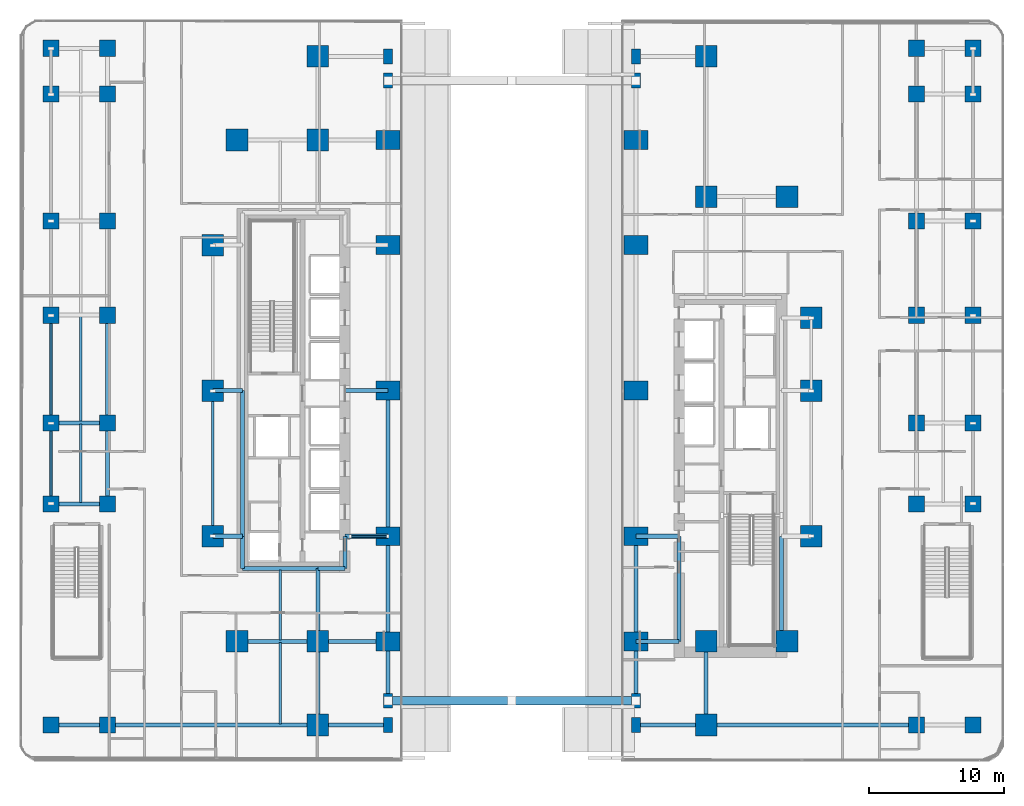
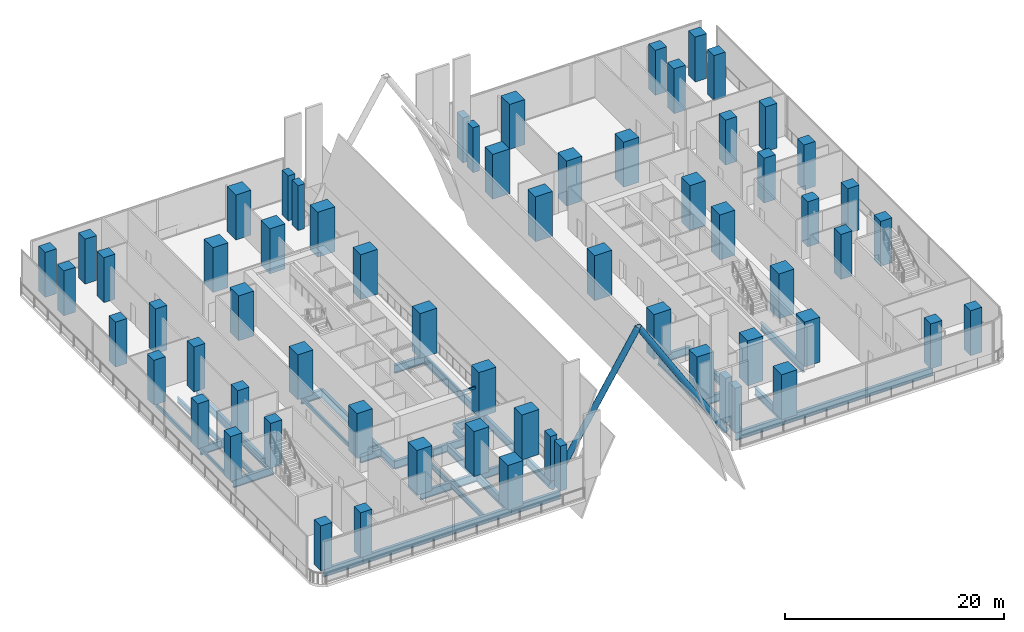
# One storey, part 1 of 31: 64 columns, 40 beams, 2 members.
"""IFC4 building model written with IfcOpenShell, lengths in metres."""

import ifcopenshell
import ifcopenshell.guid

model = None  # the IFC model being written
_history = None  # IfcOwnerHistory: only IFC2X3 demands one
_inside = {}  # id of a spatial element -> (the spatial element, [elements in it])
_under = {}  # id of a project, library or spatial element -> (it, [spatial elements below it])
_declared = {}  # id of a project -> (the project, [libraries it declares])
_typed = {}  # id of a type object -> (the type object, [elements of that type])
_made_of = {}  # id of a material, layer set ... -> (it, [elements and type objects made of it])


def new_model(schema):
    """Start an empty IFC model of exactly this schema.

    Asked for "IFC4X3", IfcOpenShell would pick the latest addendum, in which some entities
    have other attributes; the version numbers below select the first issue.
    IFC2X3 requires an IfcOwnerHistory on every rooted entity: one is made here for all.
    """
    global model, _history
    if schema == "IFC4X3":
        model = ifcopenshell.file(schema_version=(4, 3, 0, 0))
    else:
        model = ifcopenshell.file(schema=schema)
    _inside.clear()
    _under.clear()
    _declared.clear()
    _typed.clear()
    _made_of.clear()
    _history = None
    if model.schema == "IFC2X3":
        org = make("IfcOrganization", Name="unknown")
        user = make(
            "IfcPersonAndOrganization",
            ThePerson=make("IfcPerson", FamilyName="unknown"),
            TheOrganization=org,
        )
        app = make(
            "IfcApplication",
            ApplicationDeveloper=org,
            Version="unknown",
            ApplicationFullName="unknown",
            ApplicationIdentifier="unknown",
        )
        _history = make(
            "IfcOwnerHistory",
            OwningUser=user,
            OwningApplication=app,
            ChangeAction="ADDED",
            CreationDate=0,
        )
    return model


def make(cls, **values):
    """One entity of the class cls with the attributes given. An attribute that is None is left unset."""
    return model.create_entity(
        cls, **{name: value for name, value in values.items() if value is not None}
    )


def rooted(cls, **values):
    """An entity with a GlobalId (a new one), such as an element, a storey or a relation."""
    return make(cls, GlobalId=ifcopenshell.guid.new(), OwnerHistory=_history, **values)


def si_unit(unit_type, name, prefix=None):
    """IfcSIUnit, for example si_unit("LENGTHUNIT", "METRE", prefix="MILLI")."""
    return make("IfcSIUnit", UnitType=unit_type, Prefix=prefix, Name=name)


def assignment(units):
    """IfcUnitAssignment: the units of a project."""
    return None if units is None else make("IfcUnitAssignment", Units=units)


def point(xyz):
    """IfcCartesianPoint."""
    return None if xyz is None else make("IfcCartesianPoint", Coordinates=xyz)


def direction(xyz):
    """IfcDirection."""
    return None if xyz is None else make("IfcDirection", DirectionRatios=xyz)


def frame(location, z_axis=None, x_axis=None):
    """IfcAxis2Placement3D, a coordinate frame: its origin and axes. An axis left out is left unset."""
    return make(
        "IfcAxis2Placement3D",
        Location=point(location),
        Axis=direction(z_axis),
        RefDirection=direction(x_axis),
    )


def frame_2d(location, x_axis=None):
    """IfcAxis2Placement2D, a coordinate frame in the plane: its origin and x axis."""
    return make(
        "IfcAxis2Placement2D", Location=point(location), RefDirection=direction(x_axis)
    )


def origin():
    """The frame at (0, 0, 0) with its axes left unset."""
    return frame((0.0, 0.0, 0.0))


def origin_2d():
    """The frame at (0, 0) in the plane with its x axis left unset."""
    return frame_2d((0.0, 0.0))


def place(relative_to, where):
    """IfcLocalPlacement: puts the frame where relative to a parent placement (None: the world)."""
    return make(
        "IfcLocalPlacement", PlacementRelTo=relative_to, RelativePlacement=where
    )


def context(
    kind, dimensions, precision=None, world=None, true_north=None, identifier=None
):
    """IfcGeometricRepresentationContext, for example the 3D "Model" context."""
    return make(
        "IfcGeometricRepresentationContext",
        ContextIdentifier=identifier,
        ContextType=kind,
        CoordinateSpaceDimension=dimensions,
        Precision=precision,
        WorldCoordinateSystem=world,
        TrueNorth=true_north,
    )


def subcontext(parent, identifier, kind, view, scale=None):
    """IfcGeometricRepresentationSubContext, for example "Body" below "Model"."""
    return make(
        "IfcGeometricRepresentationSubContext",
        ContextIdentifier=identifier,
        ContextType=kind,
        ParentContext=parent,
        TargetScale=scale,
        TargetView=view,
    )


def project(units=None, contexts=None):
    """IfcProject with its units and contexts."""
    return rooted(
        "IfcProject",
        Name="project",
        RepresentationContexts=contexts,
        UnitsInContext=assignment(units),
    )


def spatial(cls, under=None, at=None, **own):
    """A site, building, storey or space (cls), placed at a placement, below another one or the project."""
    s = rooted(cls, ObjectPlacement=at, **own)
    if under is not None:
        _under.setdefault(under.id(), (under, []))[1].append(s)
    return s


def profile(cls, at=None, kind="AREA", **sizes):
    """A parametric profile (cls). Its sizes go by their IFC names, for example OverallWidth=200.0."""
    return make(cls, ProfileType=kind, Position=at, **sizes)


def rectangle(**sizes):
    """IfcRectangleProfileDef."""
    return profile("IfcRectangleProfileDef", **sizes)


def hollow_rectangle(**sizes):
    """IfcRectangleHollowProfileDef."""
    return profile("IfcRectangleHollowProfileDef", **sizes)


def hollow_circle(**sizes):
    """IfcCircleHollowProfileDef."""
    return profile("IfcCircleHollowProfileDef", **sizes)


def i_section(**sizes):
    """IfcIShapeProfileDef."""
    return profile("IfcIShapeProfileDef", **sizes)


def extrude(swept, where, along, depth):
    """IfcExtrudedAreaSolid: the profile swept, set in the frame where, extruded along a direction by depth."""
    return make(
        "IfcExtrudedAreaSolid",
        SweptArea=swept,
        Position=where,
        ExtrudedDirection=direction(along),
        Depth=depth,
    )


def shape(context_of_items, identifier, shape_type, items):
    """IfcShapeRepresentation: the items that make up one representation, for example the "Body"."""
    return make(
        "IfcShapeRepresentation",
        ContextOfItems=context_of_items,
        RepresentationIdentifier=identifier,
        RepresentationType=shape_type,
        Items=items,
    )


def material(Name=None, Category=None):
    """IfcMaterial."""
    return make("IfcMaterial", Name=Name, Category=Category)


def material_profile(
    of_material, cross_section, Name=None, Category=None, Priority=None
):
    """IfcMaterialProfile: a cross section and its material."""
    return make(
        "IfcMaterialProfile",
        Name=Name,
        Material=of_material,
        Profile=cross_section,
        Priority=Priority,
        Category=Category,
    )


def profile_set(profiles, Name=None, composite=None):
    """IfcMaterialProfileSet."""
    return make(
        "IfcMaterialProfileSet",
        Name=Name,
        MaterialProfiles=profiles,
        CompositeProfile=composite,
    )


def made_of(thing, what):
    """Note that an element or type object is made of a material, layer set ...; save() writes the relation."""
    if what is not None:
        _made_of.setdefault(what.id(), (what, []))[1].append(thing)
    return thing


def type_object(cls, material=None, **own):
    """A type object (cls), such as IfcWallType, which elements share."""
    return made_of(rooted(cls, **own), material)


def element(
    cls,
    number,
    at=None,
    inside=None,
    cuts=None,
    type_object=None,
    material=None,
    context=None,
    identifier="Body",
    shape_type=None,
    held_by="IfcProductDefinitionShape",
    body=None,
    shapes=None,
    **own,
):
    """One element of the class cls, such as IfcWall. Its Tag is "e" and its number.

    at: its placement. inside: the storey or other place that contains it. cuts: it is an
    opening in that element (IfcRelVoidsElement). A single representation is given by context,
    identifier, shape_type and body (its items); several are given by shapes. held_by: the class
    of the entity that holds the representations. save() writes the other relations.
    """
    e = rooted(cls, Tag="e%d" % number, ObjectPlacement=at, **own)
    if body is not None:
        shapes = [shape(context, identifier, shape_type, body)]
    if shapes is not None:
        e.Representation = make(held_by, Representations=shapes)
    if inside is not None:
        _inside.setdefault(inside.id(), (inside, []))[1].append(e)
    if cuts is not None:
        rooted(
            "IfcRelVoidsElement", RelatingBuildingElement=cuts, RelatedOpeningElement=e
        )
    if type_object is not None:
        _typed.setdefault(type_object.id(), (type_object, []))[1].append(e)
    return made_of(e, material)


def aggregate(whole, parts):
    """IfcRelAggregates: a whole, such as a stair, and the parts it consists of."""
    return rooted("IfcRelAggregates", RelatingObject=whole, RelatedObjects=parts)


def save(model, path):
    """Write the relations noted so far, then the file.

    IfcRelAggregates (storeys below a building ...), IfcRelContainedInSpatialStructure (elements
    in a storey), IfcRelDefinesByType, IfcRelAssociatesMaterial and IfcRelDeclares: one each for
    every whole, place, type object, material and project.
    """
    for whole, parts in _under.values():
        aggregate(whole, parts)
    for where, things in _inside.values():
        rooted(
            "IfcRelContainedInSpatialStructure",
            RelatedElements=things,
            RelatingStructure=where,
        )
    for kind, things in _typed.values():
        rooted("IfcRelDefinesByType", RelatedObjects=things, RelatingType=kind)
    for what, things in _made_of.values():
        rooted("IfcRelAssociatesMaterial", RelatedObjects=things, RelatingMaterial=what)
    for by, libraries in _declared.values():
        rooted("IfcRelDeclares", RelatingContext=by, RelatedDefinitions=libraries)
    model.write(path)


model = new_model("IFC4")

# Units and contexts
model_context = context("Model", 3, precision=1e-05, world=origin(), true_north=direction((0.0, 1.0)))
body_context = subcontext(model_context, "Body", "Model", "MODEL_VIEW")
ifc_project = project(units=[si_unit("LENGTHUNIT", "METRE"), si_unit("AREAUNIT", "SQUARE_METRE"), si_unit("VOLUMEUNIT", "CUBIC_METRE"), si_unit("PLANEANGLEUNIT", "RADIAN"), si_unit("MASSUNIT", "GRAM", prefix="KILO")], contexts=[model_context])

# Site, building, storey
site_placement = place(None, origin())
site = spatial("IfcSite", under=ifc_project, at=site_placement, CompositionType="ELEMENT")
building_placement = place(site_placement, origin())
building = spatial("IfcBuilding", under=site, at=building_placement, Name="Khairoan Windgate Tower", CompositionType="ELEMENT")
storey_placement = place(building_placement, frame((0.0, 0.0, 6.0)))
storey = spatial("IfcBuildingStorey", under=building, at=storey_placement, Name="L02", CompositionType="ELEMENT", Elevation=6.0)

# Columns
ifc_material_1 = material(Name="Concrete C60/75", Category="concrete")
ifc_material_profile_1 = material_profile(ifc_material_1, rectangle(XDim=0.699951171875, YDim=1.10009765625, at=origin_2d()))
ifc_profile_set_1 = profile_set([ifc_material_profile_1], Name="Concrete C60/75")
column_type_1 = type_object("IfcColumnType", Name="Arch Pilaster CP1 RC700x1100", PredefinedType="PILASTER", material=ifc_profile_set_1)
for number, where, z_axis, x_axis, name in (
    (1, (-9.199951171875, -24.800048828125, 0.0), (0.0, 0.0, 1.0), (1.0, 0.0, 0.0), "Column L02-51"),
    (2, (-9.199951171875, 24.800048828125, 0.0), (0.0, 0.0, 1.0), (1.0, 0.0, 0.0), "Column L02-52"),
    (3, (9.199951171875, -24.800048828125, 0.0), (0.0, 0.0, 1.0), (1.0, 0.0, 0.0), "Column L02-53"),
    (4, (9.199951171875, 24.800048828125, 0.0), (0.0, 0.0, 1.0), (1.0, 0.0, 0.0), "Column L02-54"),
    (5, (-9.199951171875, -23.0, 0.0), (0.0, 0.0, 1.0), (1.0, 0.0, 0.0), "Inner Arch Pier Pilaster L02-01"),
    (6, (-9.199951171875, 23.0, 0.0), (0.0, 0.0, 1.0), (1.0, 0.0, 0.0), "Inner Arch Pier Pilaster L02-02"),
    (7, (9.199951171875, -23.0, 0.0), (0.0, 0.0, 1.0), (1.0, 0.0, 0.0), "Inner Arch Pier Pilaster L02-03"),
    (8, (9.199951171875, 23.0, 0.0), (0.0, 0.0, 1.0), (1.0, 0.0, 0.0), "Inner Arch Pier Pilaster L02-04"),
):
    element("IfcColumn", number, at=place(storey_placement, frame(where, z_axis=z_axis, x_axis=x_axis)), inside=storey, type_object=column_type_1, Name=name, PredefinedType="PILASTER", context=body_context, shape_type="SweptSolid", body=[
        extrude(rectangle(XDim=0.699951171875, YDim=1.10009765625, at=origin_2d()), origin(), (0.0, 0.0, 1.0), 5.0),
    ])
ifc_material_2 = material(Name="Concrete C70/85", Category="concrete")
ifc_material_profile_2 = material_profile(ifc_material_2, rectangle(XDim=1.800048828125, YDim=1.39990234375, at=origin_2d()))
ifc_profile_set_2 = profile_set([ifc_material_profile_2], Name="Concrete C70/85")
column_type_2 = type_object("IfcColumnType", Name="Column C-AP1 RC1800x1400", PredefinedType="COLUMN", material=ifc_profile_set_2)
for number, where, z_axis, x_axis, name in (
    (9, (-9.199951171875, -18.60009765625, 0.0), (0.0, 0.0, 1.0), (1.0, 0.0, 0.0), "Column L02-01"),
    (10, (-9.199951171875, -10.800048828125, 0.0), (0.0, 0.0, 1.0), (1.0, 0.0, 0.0), "Column L02-02"),
    (11, (-9.199951171875, 0.0, 0.0), (0.0, 0.0, 1.0), (1.0, 0.0, 0.0), "Column L02-03"),
    (12, (-9.199951171875, 10.800048828125, 0.0), (0.0, 0.0, 1.0), (1.0, 0.0, 0.0), "Column L02-04"),
    (13, (-9.199951171875, 18.60009765625, 0.0), (0.0, 0.0, 1.0), (1.0, 0.0, 0.0), "Column L02-05"),
    (14, (9.199951171875, -18.60009765625, 0.0), (0.0, 0.0, 1.0), (1.0, 0.0, 0.0), "Column L02-06"),
    (15, (9.199951171875, -10.800048828125, 0.0), (0.0, 0.0, 1.0), (1.0, 0.0, 0.0), "Column L02-07"),
    (16, (9.199951171875, 0.0, 0.0), (0.0, 0.0, 1.0), (1.0, 0.0, 0.0), "Column L02-08"),
    (17, (9.199951171875, 10.800048828125, 0.0), (0.0, 0.0, 1.0), (1.0, 0.0, 0.0), "Column L02-09"),
    (18, (9.199951171875, 18.60009765625, 0.0), (0.0, 0.0, 1.0), (1.0, 0.0, 0.0), "Column L02-10"),
):
    element("IfcColumn", number, at=place(storey_placement, frame(where, z_axis=z_axis, x_axis=x_axis)), inside=storey, type_object=column_type_2, Name=name, PredefinedType="COLUMN", context=body_context, shape_type="SweptSolid", body=[
        extrude(rectangle(XDim=1.800048828125, YDim=1.39990234375, at=origin_2d()), origin(), (0.0, 0.0, 1.0), 5.0),
    ])
ifc_material_3 = material(Name="Concrete C70/85", Category="concrete")
ifc_material_profile_3 = material_profile(ifc_material_3, rectangle(XDim=1.60009765625, YDim=1.60009765625, at=origin_2d()))
ifc_profile_set_3 = profile_set([ifc_material_profile_3], Name="Concrete C70/85")
column_type_3 = type_object("IfcColumnType", Name="Column C-T1 RC1600x1600", PredefinedType="COLUMN", material=ifc_profile_set_3)
for number, where, z_axis, x_axis, name in (
    (19, (-20.39990234375, -18.60009765625, 0.0), (0.0, 0.0, 1.0), (1.0, 0.0, 0.0), "Column L02-11"),
    (20, (-20.39990234375, 18.60009765625, 0.0), (0.0, 0.0, 1.0), (1.0, 0.0, 0.0), "Column L02-12"),
    (21, (20.39990234375, -18.60009765625, 0.0), (0.0, 0.0, 1.0), (1.0, 0.0, 0.0), "Column L02-13"),
    (22, (20.39990234375, 14.39990234375, 0.0), (0.0, 0.0, 1.0), (1.0, 0.0, 0.0), "Column L02-14"),
    (23, (-14.39990234375, -18.60009765625, 0.0), (0.0, 0.0, 1.0), (1.0, 0.0, 0.0), "Column L02-15"),
    (24, (-14.39990234375, 18.60009765625, 0.0), (0.0, 0.0, 1.0), (1.0, 0.0, 0.0), "Column L02-16"),
    (25, (14.39990234375, -18.60009765625, 0.0), (0.0, 0.0, 1.0), (1.0, 0.0, 0.0), "Column L02-17"),
    (26, (14.39990234375, 14.39990234375, 0.0), (0.0, 0.0, 1.0), (1.0, 0.0, 0.0), "Column L02-18"),
    (27, (-22.199951171875, -10.800048828125, 0.0), (0.0, 0.0, 1.0), (1.0, 0.0, 0.0), "Column L02-55"),
    (28, (-22.199951171875, 0.0, 0.0), (0.0, 0.0, 1.0), (1.0, 0.0, 0.0), "Column L02-56"),
    (29, (-22.199951171875, 10.800048828125, 0.0), (0.0, 0.0, 1.0), (1.0, 0.0, 0.0), "Column L02-57"),
    (30, (22.199951171875, -10.800048828125, 0.0), (0.0, 0.0, 1.0), (1.0, 0.0, 0.0), "Column L02-58"),
    (31, (22.199951171875, 0.0, 0.0), (0.0, 0.0, 1.0), (1.0, 0.0, 0.0), "Column L02-59"),
    (32, (22.199951171875, 5.39990234375, 0.0), (0.0, 0.0, 1.0), (1.0, 0.0, 0.0), "Column L02-60"),
    (33, (-14.39990234375, -24.800048828125, 0.0), (0.0, 0.0, 1.0), (1.0, 0.0, 0.0), "Column L02-61"),
    (34, (-14.39990234375, 24.800048828125, 0.0), (0.0, 0.0, 1.0), (1.0, 0.0, 0.0), "Column L02-62"),
    (35, (14.39990234375, -24.800048828125, 0.0), (0.0, 0.0, 1.0), (1.0, 0.0, 0.0), "Column L02-63"),
    (36, (14.39990234375, 24.800048828125, 0.0), (0.0, 0.0, 1.0), (1.0, 0.0, 0.0), "Column L02-64"),
):
    element("IfcColumn", number, at=place(storey_placement, frame(where, z_axis=z_axis, x_axis=x_axis)), inside=storey, type_object=column_type_3, Name=name, PredefinedType="COLUMN", context=body_context, shape_type="SweptSolid", body=[
        extrude(rectangle(XDim=1.60009765625, YDim=1.60009765625, at=origin_2d()), origin(), (0.0, 0.0, 1.0), 5.0),
    ])
ifc_material_4 = material(Name="Concrete C60/75", Category="concrete")
ifc_material_profile_4 = material_profile(ifc_material_4, rectangle(XDim=1.199951171875, YDim=1.199951171875, at=origin_2d()))
ifc_profile_set_4 = profile_set([ifc_material_profile_4], Name="Concrete C60/75")
column_type_4 = type_object("IfcColumnType", Name="Column C-T3 RC1200x1200", PredefinedType="COLUMN", material=ifc_profile_set_4)
for number, where, z_axis, x_axis, name in (
    (37, (-34.199951171875, -24.800048828125, 0.0), (0.0, 0.0, 1.0), (1.0, 0.0, 0.0), "Column L02-19"),
    (38, (-34.199951171875, -8.39990234375, 0.0), (0.0, 0.0, 1.0), (1.0, 0.0, 0.0), "Column L02-21"),
    (39, (-34.199951171875, -2.39990234375, 0.0), (0.0, 0.0, 1.0), (1.0, 0.0, 0.0), "Column L02-22"),
    (40, (-34.199951171875, 5.60009765625, 0.0), (0.0, 0.0, 1.0), (1.0, 0.0, 0.0), "Column L02-23"),
    (41, (-34.199951171875, 12.60009765625, 0.0), (0.0, 0.0, 1.0), (1.0, 0.0, 0.0), "Column L02-24"),
    (42, (-34.199951171875, 22.0, 0.0), (0.0, 0.0, 1.0), (1.0, 0.0, 0.0), "Column L02-25"),
    (43, (-34.199951171875, 25.39990234375, 0.0), (0.0, 0.0, 1.0), (1.0, 0.0, 0.0), "Column L02-26"),
    (44, (-30.0, -24.800048828125, 0.0), (0.0, 0.0, 1.0), (1.0, 0.0, 0.0), "Column L02-27"),
    (45, (-30.0, -8.39990234375, 0.0), (0.0, 0.0, 1.0), (1.0, 0.0, 0.0), "Column L02-29"),
    (46, (-30.0, -2.39990234375, 0.0), (0.0, 0.0, 1.0), (1.0, 0.0, 0.0), "Column L02-30"),
    (47, (-30.0, 5.60009765625, 0.0), (0.0, 0.0, 1.0), (1.0, 0.0, 0.0), "Column L02-31"),
    (48, (-30.0, 12.60009765625, 0.0), (0.0, 0.0, 1.0), (1.0, 0.0, 0.0), "Column L02-32"),
    (49, (-30.0, 22.0, 0.0), (0.0, 0.0, 1.0), (1.0, 0.0, 0.0), "Column L02-33"),
    (50, (-30.0, 25.39990234375, 0.0), (0.0, 0.0, 1.0), (1.0, 0.0, 0.0), "Column L02-34"),
    (51, (30.0, -24.800048828125, 0.0), (0.0, 0.0, 1.0), (1.0, 0.0, 0.0), "Column L02-35"),
    (52, (30.0, -8.39990234375, 0.0), (0.0, 0.0, 1.0), (1.0, 0.0, 0.0), "Column L02-37"),
    (53, (30.0, -2.39990234375, 0.0), (0.0, 0.0, 1.0), (1.0, 0.0, 0.0), "Column L02-38"),
    (54, (30.0, 5.60009765625, 0.0), (0.0, 0.0, 1.0), (1.0, 0.0, 0.0), "Column L02-39"),
    (55, (30.0, 12.60009765625, 0.0), (0.0, 0.0, 1.0), (1.0, 0.0, 0.0), "Column L02-40"),
    (56, (30.0, 22.0, 0.0), (0.0, 0.0, 1.0), (1.0, 0.0, 0.0), "Column L02-41"),
    (57, (30.0, 25.39990234375, 0.0), (0.0, 0.0, 1.0), (1.0, 0.0, 0.0), "Column L02-42"),
    (58, (34.199951171875, -24.800048828125, 0.0), (0.0, 0.0, 1.0), (1.0, 0.0, 0.0), "Column L02-43"),
    (59, (34.199951171875, -8.39990234375, 0.0), (0.0, 0.0, 1.0), (1.0, 0.0, 0.0), "Column L02-45"),
    (60, (34.199951171875, -2.39990234375, 0.0), (0.0, 0.0, 1.0), (1.0, 0.0, 0.0), "Column L02-46"),
    (61, (34.199951171875, 5.60009765625, 0.0), (0.0, 0.0, 1.0), (1.0, 0.0, 0.0), "Column L02-47"),
    (62, (34.199951171875, 12.60009765625, 0.0), (0.0, 0.0, 1.0), (1.0, 0.0, 0.0), "Column L02-48"),
    (63, (34.199951171875, 22.0, 0.0), (0.0, 0.0, 1.0), (1.0, 0.0, 0.0), "Column L02-49"),
    (64, (34.199951171875, 25.39990234375, 0.0), (0.0, 0.0, 1.0), (1.0, 0.0, 0.0), "Column L02-50"),
):
    element("IfcColumn", number, at=place(storey_placement, frame(where, z_axis=z_axis, x_axis=x_axis)), inside=storey, type_object=column_type_4, Name=name, PredefinedType="COLUMN", context=body_context, shape_type="SweptSolid", body=[
        extrude(rectangle(XDim=1.199951171875, YDim=1.199951171875, at=origin_2d()), origin(), (0.0, 0.0, 1.0), 5.0),
    ])

# Beams
ifc_material_5 = material(Name="Steel S355", Category="steel")
ifc_material_profile_5 = material_profile(ifc_material_5, i_section(OverallWidth=0.300048828125, OverallDepth=0.89990234375, WebThickness=0.01611328125, FlangeThickness=0.028076171875, FilletRadius=0.028076171875, at=origin_2d()))
ifc_profile_set_5 = profile_set([ifc_material_profile_5], Name="Steel S355")
beam_type_1 = type_object("IfcBeamType", Name="Beam B-G1 H900x300x16x28", PredefinedType="BEAM", material=ifc_profile_set_5)
beam_1_placement = place(storey_placement, frame((-34.199951171875, -24.800048828125, -0.75), z_axis=(1.0, 0.0, 0.0), x_axis=(0.0, 1.0, 0.0)))
element("IfcBeam", 65, at=beam_1_placement, inside=storey, type_object=beam_type_1, Name="L02 E-W Primary Girder 01", PredefinedType="BEAM", context=body_context, shape_type="SweptSolid", body=[
    extrude(i_section(OverallWidth=0.300048828125, OverallDepth=0.89990234375, WebThickness=0.01611328125, FlangeThickness=0.028076171875, FilletRadius=0.028076171875, at=origin_2d()), origin(), (0.0, 0.0, 1.0), 4.199951171875),
])
beam_2_placement = place(storey_placement, frame((-30.0, -24.800048828125, -0.75), z_axis=(1.0, 0.0, 0.0), x_axis=(0.0, 1.0, 0.0)))
element("IfcBeam", 66, at=beam_2_placement, inside=storey, type_object=beam_type_1, Name="L02 E-W Primary Girder 02", PredefinedType="BEAM", context=body_context, shape_type="SweptSolid", body=[
    extrude(i_section(OverallWidth=0.300048828125, OverallDepth=0.89990234375, WebThickness=0.01611328125, FlangeThickness=0.028076171875, FilletRadius=0.028076171875, at=origin_2d()), origin(), (0.0, 0.0, 1.0), 15.60009765625),
])
for number, where, z_axis, x_axis, name in (
    (67, (-14.39990234375, -24.800048828125, -0.75), (1.0, 0.0, 0.0), (0.0, 1.0, 0.0), "L02 E-W Primary Girder 03"),
    (68, (9.199951171875, -24.800048828125, -0.75), (1.0, 0.0, 0.0), (0.0, 1.0, 0.0), "L02 E-W Primary Girder 04"),
):
    element("IfcBeam", number, at=place(storey_placement, frame(where, z_axis=z_axis, x_axis=x_axis)), inside=storey, type_object=beam_type_1, Name=name, PredefinedType="BEAM", context=body_context, shape_type="SweptSolid", body=[
        extrude(i_section(OverallWidth=0.300048828125, OverallDepth=0.89990234375, WebThickness=0.01611328125, FlangeThickness=0.028076171875, FilletRadius=0.028076171875, at=origin_2d()), origin(), (0.0, 0.0, 1.0), 5.199951171875),
    ])
beam_3_placement = place(storey_placement, frame((14.39990234375, -24.800048828125, -0.75), z_axis=(1.0, 0.0, 0.0), x_axis=(0.0, 1.0, 0.0)))
element("IfcBeam", 69, at=beam_3_placement, inside=storey, type_object=beam_type_1, Name="L02 E-W Primary Girder 05", PredefinedType="BEAM", context=body_context, shape_type="SweptSolid", body=[
    extrude(i_section(OverallWidth=0.300048828125, OverallDepth=0.89990234375, WebThickness=0.01611328125, FlangeThickness=0.028076171875, FilletRadius=0.028076171875, at=origin_2d()), origin(), (0.0, 0.0, 1.0), 15.60009765625),
])
beam_4_placement = place(storey_placement, frame((-20.39990234375, -18.60009765625, -0.75), z_axis=(1.0, 0.0, 0.0), x_axis=(0.0, 1.0, 0.0)))
element("IfcBeam", 70, at=beam_4_placement, inside=storey, type_object=beam_type_1, Name="L02 E-W Primary Girder 07", PredefinedType="BEAM", context=body_context, shape_type="SweptSolid", body=[
    extrude(i_section(OverallWidth=0.300048828125, OverallDepth=0.89990234375, WebThickness=0.01611328125, FlangeThickness=0.028076171875, FilletRadius=0.028076171875, at=origin_2d()), origin(), (0.0, 0.0, 1.0), 6.0),
])
beam_5_placement = place(storey_placement, frame((-14.39990234375, -18.60009765625, -0.75), z_axis=(1.0, 0.0, 0.0), x_axis=(0.0, 1.0, 0.0)))
element("IfcBeam", 71, at=beam_5_placement, inside=storey, type_object=beam_type_1, Name="L02 E-W Primary Girder 08", PredefinedType="BEAM", context=body_context, shape_type="SweptSolid", body=[
    extrude(i_section(OverallWidth=0.300048828125, OverallDepth=0.89990234375, WebThickness=0.01611328125, FlangeThickness=0.028076171875, FilletRadius=0.028076171875, at=origin_2d()), origin(), (0.0, 0.0, 1.0), 5.199951171875),
])
beam_6_placement = place(storey_placement, frame((9.199951171875, -18.60009765625, -0.75), z_axis=(1.0, 0.0, 0.0), x_axis=(0.0, 1.0, 0.0)))
element("IfcBeam", 72, at=beam_6_placement, inside=storey, type_object=beam_type_1, Name="L02 E-W Primary Girder 09", PredefinedType="BEAM", context=body_context, shape_type="SweptSolid", body=[
    extrude(i_section(OverallWidth=0.300048828125, OverallDepth=0.89990234375, WebThickness=0.01611328125, FlangeThickness=0.028076171875, FilletRadius=0.028076171875, at=origin_2d()), origin(), (0.0, 0.0, 1.0), 3.199951171875),
])
beam_7_placement = place(storey_placement, frame((-20.0, -13.199951171875, -0.75), z_axis=(1.0, 0.0, 0.0), x_axis=(0.0, 1.0, 0.0)))
element("IfcBeam", 73, at=beam_7_placement, inside=storey, type_object=beam_type_1, Name="L02 E-W Primary Girder 10", PredefinedType="BEAM", context=body_context, shape_type="SweptSolid", body=[
    extrude(i_section(OverallWidth=0.300048828125, OverallDepth=0.89990234375, WebThickness=0.01611328125, FlangeThickness=0.028076171875, FilletRadius=0.028076171875, at=origin_2d()), origin(), (0.0, 0.0, 1.0), 5.60009765625),
])
beam_8_placement = place(storey_placement, frame((-14.39990234375, -13.199951171875, -0.75), z_axis=(1.0, 0.0, 0.0), x_axis=(0.0, 1.0, 0.0)))
element("IfcBeam", 74, at=beam_8_placement, inside=storey, type_object=beam_type_1, Name="L02 E-W Primary Girder 11", PredefinedType="BEAM", context=body_context, shape_type="SweptSolid", body=[
    extrude(i_section(OverallWidth=0.300048828125, OverallDepth=0.89990234375, WebThickness=0.01611328125, FlangeThickness=0.028076171875, FilletRadius=0.028076171875, at=origin_2d()), origin(), (0.0, 0.0, 1.0), 2.0),
])
beam_9_placement = place(storey_placement, frame((-22.199951171875, -10.800048828125, -0.75), z_axis=(1.0, 0.0, 0.0), x_axis=(0.0, 1.0, 0.0)))
element("IfcBeam", 75, at=beam_9_placement, inside=storey, type_object=beam_type_1, Name="L02 E-W Primary Girder 12", PredefinedType="BEAM", context=body_context, shape_type="SweptSolid", body=[
    extrude(i_section(OverallWidth=0.300048828125, OverallDepth=0.89990234375, WebThickness=0.01611328125, FlangeThickness=0.028076171875, FilletRadius=0.028076171875, at=origin_2d()), origin(), (0.0, 0.0, 1.0), 2.199951171875),
])
for number, where, z_axis, x_axis, name in (
    (76, (-12.39990234375, -10.800048828125, -0.75), (1.0, 0.0, 0.0), (0.0, 1.0, 0.0), "L02 E-W Primary Girder 13"),
    (77, (9.199951171875, -10.800048828125, -0.75), (1.0, 0.0, 0.0), (0.0, 1.0, 0.0), "L02 E-W Primary Girder 14"),
):
    element("IfcBeam", number, at=place(storey_placement, frame(where, z_axis=z_axis, x_axis=x_axis)), inside=storey, type_object=beam_type_1, Name=name, PredefinedType="BEAM", context=body_context, shape_type="SweptSolid", body=[
        extrude(i_section(OverallWidth=0.300048828125, OverallDepth=0.89990234375, WebThickness=0.01611328125, FlangeThickness=0.028076171875, FilletRadius=0.028076171875, at=origin_2d()), origin(), (0.0, 0.0, 1.0), 3.199951171875),
    ])
for number, where, z_axis, x_axis, name in (
    (78, (-34.199951171875, -8.39990234375, -0.75), (1.0, 0.0, 0.0), (0.0, 1.0, 0.0), "L02 E-W Primary Girder 16"),
    (79, (-34.199951171875, -2.39990234375, -0.75), (1.0, 0.0, 0.0), (0.0, 1.0, 0.0), "L02 E-W Primary Girder 18"),
):
    element("IfcBeam", number, at=place(storey_placement, frame(where, z_axis=z_axis, x_axis=x_axis)), inside=storey, type_object=beam_type_1, Name=name, PredefinedType="BEAM", context=body_context, shape_type="SweptSolid", body=[
        extrude(i_section(OverallWidth=0.300048828125, OverallDepth=0.89990234375, WebThickness=0.01611328125, FlangeThickness=0.028076171875, FilletRadius=0.028076171875, at=origin_2d()), origin(), (0.0, 0.0, 1.0), 4.199951171875),
    ])
beam_10_placement = place(storey_placement, frame((-22.199951171875, 0.0, -0.75), z_axis=(1.0, 0.0, 0.0), x_axis=(0.0, 1.0, 0.0)))
element("IfcBeam", 80, at=beam_10_placement, inside=storey, type_object=beam_type_1, Name="L02 E-W Primary Girder 20", PredefinedType="BEAM", context=body_context, shape_type="SweptSolid", body=[
    extrude(i_section(OverallWidth=0.300048828125, OverallDepth=0.89990234375, WebThickness=0.01611328125, FlangeThickness=0.028076171875, FilletRadius=0.028076171875, at=origin_2d()), origin(), (0.0, 0.0, 1.0), 2.199951171875),
])
beam_11_placement = place(storey_placement, frame((-12.39990234375, 0.0, -0.75), z_axis=(1.0, 0.0, 0.0), x_axis=(0.0, 1.0, 0.0)))
element("IfcBeam", 81, at=beam_11_placement, inside=storey, type_object=beam_type_1, Name="L02 E-W Primary Girder 21", PredefinedType="BEAM", context=body_context, shape_type="SweptSolid", body=[
    extrude(i_section(OverallWidth=0.300048828125, OverallDepth=0.89990234375, WebThickness=0.01611328125, FlangeThickness=0.028076171875, FilletRadius=0.028076171875, at=origin_2d()), origin(), (0.0, 0.0, 1.0), 3.199951171875),
])
beam_12_placement = place(storey_placement, frame((-30.0, -8.39990234375, -0.75), z_axis=(0.0, 1.0, 0.0), x_axis=(-1.0, 0.0, 0.0)))
element("IfcBeam", 82, at=beam_12_placement, inside=storey, type_object=beam_type_1, Name="L02 N-S Primary Beam 48", PredefinedType="BEAM", context=body_context, shape_type="SweptSolid", body=[
    extrude(i_section(OverallWidth=0.300048828125, OverallDepth=0.89990234375, WebThickness=0.01611328125, FlangeThickness=0.028076171875, FilletRadius=0.028076171875, at=origin_2d()), origin(), (0.0, 0.0, 1.0), 6.0),
])
beam_13_placement = place(storey_placement, frame((-30.0, -2.39990234375, -0.75), z_axis=(0.0, 1.0, 0.0), x_axis=(-1.0, 0.0, 0.0)))
element("IfcBeam", 83, at=beam_13_placement, inside=storey, type_object=beam_type_1, Name="L02 N-S Primary Beam 49", PredefinedType="BEAM", context=body_context, shape_type="SweptSolid", body=[
    extrude(i_section(OverallWidth=0.300048828125, OverallDepth=0.89990234375, WebThickness=0.01611328125, FlangeThickness=0.028076171875, FilletRadius=0.028076171875, at=origin_2d()), origin(), (0.0, 0.0, 1.0), 8.0),
])
beam_14_placement = place(storey_placement, frame((-20.0, -13.199951171875, -0.75), z_axis=(0.0, 1.0, 0.0), x_axis=(-1.0, 0.0, 0.0)))
element("IfcBeam", 84, at=beam_14_placement, inside=storey, type_object=beam_type_1, Name="L02 N-S Primary Beam 55", PredefinedType="BEAM", context=body_context, shape_type="SweptSolid", body=[
    extrude(i_section(OverallWidth=0.300048828125, OverallDepth=0.89990234375, WebThickness=0.01611328125, FlangeThickness=0.028076171875, FilletRadius=0.028076171875, at=origin_2d()), origin(), (0.0, 0.0, 1.0), 2.39990234375),
])
beam_15_placement = place(storey_placement, frame((-20.0, -10.800048828125, -0.75), z_axis=(0.0, 1.0, 0.0), x_axis=(-1.0, 0.0, 0.0)))
element("IfcBeam", 85, at=beam_15_placement, inside=storey, type_object=beam_type_1, Name="L02 N-S Primary Beam 56", PredefinedType="BEAM", context=body_context, shape_type="SweptSolid", body=[
    extrude(i_section(OverallWidth=0.300048828125, OverallDepth=0.89990234375, WebThickness=0.01611328125, FlangeThickness=0.028076171875, FilletRadius=0.028076171875, at=origin_2d()), origin(), (0.0, 0.0, 1.0), 10.800048828125),
])
beam_16_placement = place(storey_placement, frame((-14.39990234375, -24.800048828125, -0.75), z_axis=(0.0, 1.0, 0.0), x_axis=(-1.0, 0.0, 0.0)))
element("IfcBeam", 86, at=beam_16_placement, inside=storey, type_object=beam_type_1, Name="L02 N-S Primary Beam 59", PredefinedType="BEAM", context=body_context, shape_type="SweptSolid", body=[
    extrude(i_section(OverallWidth=0.300048828125, OverallDepth=0.89990234375, WebThickness=0.01611328125, FlangeThickness=0.028076171875, FilletRadius=0.028076171875, at=origin_2d()), origin(), (0.0, 0.0, 1.0), 6.199951171875),
])
beam_17_placement = place(storey_placement, frame((-14.39990234375, -18.60009765625, -0.75), z_axis=(0.0, 1.0, 0.0), x_axis=(-1.0, 0.0, 0.0)))
element("IfcBeam", 87, at=beam_17_placement, inside=storey, type_object=beam_type_1, Name="L02 N-S Primary Beam 60", PredefinedType="BEAM", context=body_context, shape_type="SweptSolid", body=[
    extrude(i_section(OverallWidth=0.300048828125, OverallDepth=0.89990234375, WebThickness=0.01611328125, FlangeThickness=0.028076171875, FilletRadius=0.028076171875, at=origin_2d()), origin(), (0.0, 0.0, 1.0), 5.400146484375),
])
beam_18_placement = place(storey_placement, frame((-12.39990234375, -13.199951171875, -0.75), z_axis=(0.0, 1.0, 0.0), x_axis=(-1.0, 0.0, 0.0)))
element("IfcBeam", 88, at=beam_18_placement, inside=storey, type_object=beam_type_1, Name="L02 N-S Primary Beam 63", PredefinedType="BEAM", context=body_context, shape_type="SweptSolid", body=[
    extrude(i_section(OverallWidth=0.300048828125, OverallDepth=0.89990234375, WebThickness=0.01611328125, FlangeThickness=0.028076171875, FilletRadius=0.028076171875, at=origin_2d()), origin(), (0.0, 0.0, 1.0), 2.39990234375),
])
beam_19_placement = place(storey_placement, frame((-9.199951171875, -23.0, -0.75), z_axis=(0.0, 1.0, 0.0), x_axis=(-1.0, 0.0, 0.0)))
element("IfcBeam", 89, at=beam_19_placement, inside=storey, type_object=beam_type_1, Name="L02 N-S Primary Beam 65", PredefinedType="BEAM", context=body_context, shape_type="SweptSolid", body=[
    extrude(i_section(OverallWidth=0.300048828125, OverallDepth=0.89990234375, WebThickness=0.01611328125, FlangeThickness=0.028076171875, FilletRadius=0.028076171875, at=origin_2d()), origin(), (0.0, 0.0, 1.0), 4.39990234375),
])
beam_20_placement = place(storey_placement, frame((-9.199951171875, -18.60009765625, -0.75), z_axis=(0.0, 1.0, 0.0), x_axis=(-1.0, 0.0, 0.0)))
element("IfcBeam", 90, at=beam_20_placement, inside=storey, type_object=beam_type_1, Name="L02 N-S Primary Beam 66", PredefinedType="BEAM", context=body_context, shape_type="SweptSolid", body=[
    extrude(i_section(OverallWidth=0.300048828125, OverallDepth=0.89990234375, WebThickness=0.01611328125, FlangeThickness=0.028076171875, FilletRadius=0.028076171875, at=origin_2d()), origin(), (0.0, 0.0, 1.0), 7.800048828125),
])
beam_21_placement = place(storey_placement, frame((-9.199951171875, -10.800048828125, -0.75), z_axis=(0.0, 1.0, 0.0), x_axis=(-1.0, 0.0, 0.0)))
element("IfcBeam", 91, at=beam_21_placement, inside=storey, type_object=beam_type_1, Name="L02 N-S Primary Beam 67", PredefinedType="BEAM", context=body_context, shape_type="SweptSolid", body=[
    extrude(i_section(OverallWidth=0.300048828125, OverallDepth=0.89990234375, WebThickness=0.01611328125, FlangeThickness=0.028076171875, FilletRadius=0.028076171875, at=origin_2d()), origin(), (0.0, 0.0, 1.0), 10.800048828125),
])
beam_22_placement = place(storey_placement, frame((9.199951171875, -23.0, -0.75), z_axis=(0.0, 1.0, 0.0), x_axis=(-1.0, 0.0, 0.0)))
element("IfcBeam", 92, at=beam_22_placement, inside=storey, type_object=beam_type_1, Name="L02 N-S Primary Beam 71", PredefinedType="BEAM", context=body_context, shape_type="SweptSolid", body=[
    extrude(i_section(OverallWidth=0.300048828125, OverallDepth=0.89990234375, WebThickness=0.01611328125, FlangeThickness=0.028076171875, FilletRadius=0.028076171875, at=origin_2d()), origin(), (0.0, 0.0, 1.0), 4.39990234375),
])
for number, where, z_axis, x_axis, name in (
    (93, (9.199951171875, -18.60009765625, -0.75), (0.0, 1.0, 0.0), (-1.0, 0.0, 0.0), "L02 N-S Primary Beam 72"),
    (94, (12.39990234375, -18.60009765625, -0.75), (0.0, 1.0, 0.0), (-1.0, 0.0, 0.0), "L02 N-S Primary Beam 77"),
):
    element("IfcBeam", number, at=place(storey_placement, frame(where, z_axis=z_axis, x_axis=x_axis)), inside=storey, type_object=beam_type_1, Name=name, PredefinedType="BEAM", context=body_context, shape_type="SweptSolid", body=[
        extrude(i_section(OverallWidth=0.300048828125, OverallDepth=0.89990234375, WebThickness=0.01611328125, FlangeThickness=0.028076171875, FilletRadius=0.028076171875, at=origin_2d()), origin(), (0.0, 0.0, 1.0), 7.800048828125),
    ])
beam_23_placement = place(storey_placement, frame((14.39990234375, -24.800048828125, -0.75), z_axis=(0.0, 1.0, 0.0), x_axis=(-1.0, 0.0, 0.0)))
element("IfcBeam", 95, at=beam_23_placement, inside=storey, type_object=beam_type_1, Name="L02 N-S Primary Beam 78", PredefinedType="BEAM", context=body_context, shape_type="SweptSolid", body=[
    extrude(i_section(OverallWidth=0.300048828125, OverallDepth=0.89990234375, WebThickness=0.01611328125, FlangeThickness=0.028076171875, FilletRadius=0.028076171875, at=origin_2d()), origin(), (0.0, 0.0, 1.0), 5.400146484375),
])
beam_24_placement = place(storey_placement, frame((20.0, -18.60009765625, -0.75), z_axis=(0.0, 1.0, 0.0), x_axis=(-1.0, 0.0, 0.0)))
element("IfcBeam", 96, at=beam_24_placement, inside=storey, type_object=beam_type_1, Name="L02 N-S Primary Beam 81", PredefinedType="BEAM", context=body_context, shape_type="SweptSolid", body=[
    extrude(i_section(OverallWidth=0.300048828125, OverallDepth=0.89990234375, WebThickness=0.01611328125, FlangeThickness=0.028076171875, FilletRadius=0.028076171875, at=origin_2d()), origin(), (0.0, 0.0, 1.0), 7.800048828125),
])
ifc_material_6 = material(Name="Steel S355", Category="steel")
ifc_material_profile_6 = material_profile(ifc_material_6, i_section(OverallWidth=0.199951171875, OverallDepth=0.60009765625, WebThickness=0.010986328125, FlangeThickness=0.01708984375, FilletRadius=0.02197265625, at=origin_2d()))
ifc_profile_set_6 = profile_set([ifc_material_profile_6], Name="Steel S355")
beam_type_2 = type_object("IfcBeamType", Name="Beam J-S1 H600x200x11x17", PredefinedType="JOIST", material=ifc_profile_set_6)
beam_25_placement = place(storey_placement, frame((-32.0, -8.31005859375, -0.60009765625), z_axis=(0.0, 1.0, 0.0), x_axis=(-1.0, 0.0, 0.0)))
element("IfcBeam", 97, at=beam_25_placement, inside=storey, type_object=beam_type_2, Name="L02 Secondary Floor Joist 01", PredefinedType="JOIST", context=body_context, shape_type="SweptSolid", body=[
    extrude(i_section(OverallWidth=0.199951171875, OverallDepth=0.60009765625, WebThickness=0.010986328125, FlangeThickness=0.01708984375, FilletRadius=0.02197265625, at=origin_2d()), origin(), (0.0, 0.0, 1.0), 5.820068359375),
])
beam_26_placement = place(storey_placement, frame((-32.0, -2.31005859375, -0.60009765625), z_axis=(0.0, 1.0, 0.0), x_axis=(-1.0, 0.0, 0.0)))
element("IfcBeam", 98, at=beam_26_placement, inside=storey, type_object=beam_type_2, Name="L02 Secondary Floor Joist 02", PredefinedType="JOIST", context=body_context, shape_type="SweptSolid", body=[
    extrude(i_section(OverallWidth=0.199951171875, OverallDepth=0.60009765625, WebThickness=0.010986328125, FlangeThickness=0.01708984375, FilletRadius=0.02197265625, at=origin_2d()), origin(), (0.0, 0.0, 1.0), 7.820068359375),
])
beam_27_placement = place(storey_placement, frame((-17.199951171875, -24.7099609375, -0.60009765625), z_axis=(0.0, 1.0, 0.0), x_axis=(-1.0, 0.0, 0.0)))
element("IfcBeam", 99, at=beam_27_placement, inside=storey, type_object=beam_type_2, Name="L02 Secondary Floor Joist 06", PredefinedType="JOIST", context=body_context, shape_type="SweptSolid", body=[
    extrude(i_section(OverallWidth=0.199951171875, OverallDepth=0.60009765625, WebThickness=0.010986328125, FlangeThickness=0.01708984375, FilletRadius=0.02197265625, at=origin_2d()), origin(), (0.0, 0.0, 1.0), 6.02001953125),
])
beam_28_placement = place(storey_placement, frame((-17.199951171875, -18.510009765625, -0.60009765625), z_axis=(0.0, 1.0, 0.0), x_axis=(-1.0, 0.0, 0.0)))
element("IfcBeam", 100, at=beam_28_placement, inside=storey, type_object=beam_type_2, Name="L02 Secondary Floor Joist 07", PredefinedType="JOIST", context=body_context, shape_type="SweptSolid", body=[
    extrude(i_section(OverallWidth=0.199951171875, OverallDepth=0.60009765625, WebThickness=0.010986328125, FlangeThickness=0.01708984375, FilletRadius=0.02197265625, at=origin_2d()), origin(), (0.0, 0.0, 1.0), 5.219970703125),
])
ifc_material_7 = material(Name="Steel S355", Category="steel")
ifc_material_profile_7 = material_profile(ifc_material_7, hollow_rectangle(XDim=0.14990234375, YDim=0.25, WallThickness=0.010009765625, InnerFilletRadius=0.010009765625, OuterFilletRadius=0.02001953125, at=origin_2d()))
ifc_profile_set_7 = profile_set([ifc_material_profile_7], Name="Steel S355")
beam_type_3 = type_object("IfcBeamType", Name="Beam LN-B1 RHS250x150x10", PredefinedType="LINTEL", material=ifc_profile_set_7)
beam_29_placement = place(storey_placement, frame((-12.02001953125, -10.800048828125, 2.949951171875), z_axis=(1.0, 0.0, 0.0), x_axis=(0.0, 1.0, 0.0)))
element("IfcBeam", 101, at=beam_29_placement, inside=storey, type_object=beam_type_3, Name="Core Lobby Opening Lintel L02", PredefinedType="LINTEL", context=body_context, shape_type="SweptSolid", body=[
    extrude(hollow_rectangle(XDim=0.14990234375, YDim=0.25, WallThickness=0.010009765625, InnerFilletRadius=0.010009765625, OuterFilletRadius=0.02001953125, at=origin_2d()), origin(), (0.0, 0.0, 1.0), 2.820068359375),
])
ifc_material_8 = material(Name="Steel S355", Category="steel")
ifc_material_profile_8 = material_profile(ifc_material_8, hollow_rectangle(XDim=0.199951171875, YDim=0.39990234375, WallThickness=0.013916015625, InnerFilletRadius=0.013916015625, OuterFilletRadius=0.028076171875, at=origin_2d()))
ifc_profile_set_8 = profile_set([ifc_material_profile_8], Name="Steel S355")
beam_type_4 = type_object("IfcBeamType", Name="Beam SP-B1 RHS400x200x14", PredefinedType="SPANDREL", material=ifc_profile_set_8)
beam_30_placement = place(storey_placement, frame((-34.199951171875, -8.39990234375, -0.5), z_axis=(0.0, 1.0, 0.0), x_axis=(-1.0, 0.0, 0.0)))
element("IfcBeam", 102, at=beam_30_placement, inside=storey, type_object=beam_type_4, Name="L02 Spandrel Beam 43", PredefinedType="SPANDREL", context=body_context, shape_type="SweptSolid", body=[
    extrude(hollow_rectangle(XDim=0.199951171875, YDim=0.39990234375, WallThickness=0.013916015625, InnerFilletRadius=0.013916015625, OuterFilletRadius=0.028076171875, at=origin_2d()), origin(), (0.0, 0.0, 1.0), 6.0),
])
beam_31_placement = place(storey_placement, frame((-34.199951171875, -2.39990234375, -0.5), z_axis=(0.0, 1.0, 0.0), x_axis=(-1.0, 0.0, 0.0)))
element("IfcBeam", 103, at=beam_31_placement, inside=storey, type_object=beam_type_4, Name="L02 Spandrel Beam 44", PredefinedType="SPANDREL", context=body_context, shape_type="SweptSolid", body=[
    extrude(hollow_rectangle(XDim=0.199951171875, YDim=0.39990234375, WallThickness=0.013916015625, InnerFilletRadius=0.013916015625, OuterFilletRadius=0.028076171875, at=origin_2d()), origin(), (0.0, 0.0, 1.0), 8.0),
])
beam_32_placement = place(storey_placement, frame((-22.199951171875, -10.800048828125, -0.5), z_axis=(0.0, 1.0, 0.0), x_axis=(-1.0, 0.0, 0.0)))
element("IfcBeam", 104, at=beam_32_placement, inside=storey, type_object=beam_type_4, Name="L02 Spandrel Beam 53", PredefinedType="SPANDREL", context=body_context, shape_type="SweptSolid", body=[
    extrude(hollow_rectangle(XDim=0.199951171875, YDim=0.39990234375, WallThickness=0.013916015625, InnerFilletRadius=0.013916015625, OuterFilletRadius=0.028076171875, at=origin_2d()), origin(), (0.0, 0.0, 1.0), 10.800048828125),
])

# Members
ifc_material_9 = material(Name="Steel S355", Category="steel")
ifc_material_profile_9 = material_profile(ifc_material_9, hollow_circle(Radius=0.304931640625, WallThickness=0.030029296875, at=origin_2d()))
ifc_profile_set_9 = profile_set([ifc_material_profile_9], Name="Steel S355")
member_type = type_object("IfcMemberType", Name="Structural Member CH-AR1 CHS610x30", PredefinedType="CHORD", material=ifc_profile_set_9)
for number, where, z_axis, x_axis, name in (
    (105, (-9.199951171875, -23.0, -1.199951171875), (0.529221088311, 0.0, 0.848483965486), (0.0, 1.0, 0.0), "Monumental Podium Arch Structural Rib S-1"),
    (106, (0.0, -23.0, 13.550048828125), (0.529221088311, 0.0, -0.848483965486), (0.0, 1.0, 0.0), "Monumental Podium Arch Structural Rib S-2"),
):
    element("IfcMember", number, at=place(storey_placement, frame(where, z_axis=z_axis, x_axis=x_axis)), inside=storey, type_object=member_type, Name=name, PredefinedType="CHORD", context=body_context, shape_type="SweptSolid", body=[
        extrude(hollow_circle(Radius=0.304931640625, WallThickness=0.030029296875, at=origin_2d()), origin(), (0.0, 0.0, 1.0), 17.384033203125),
    ])

save(model, "model.ifc")
